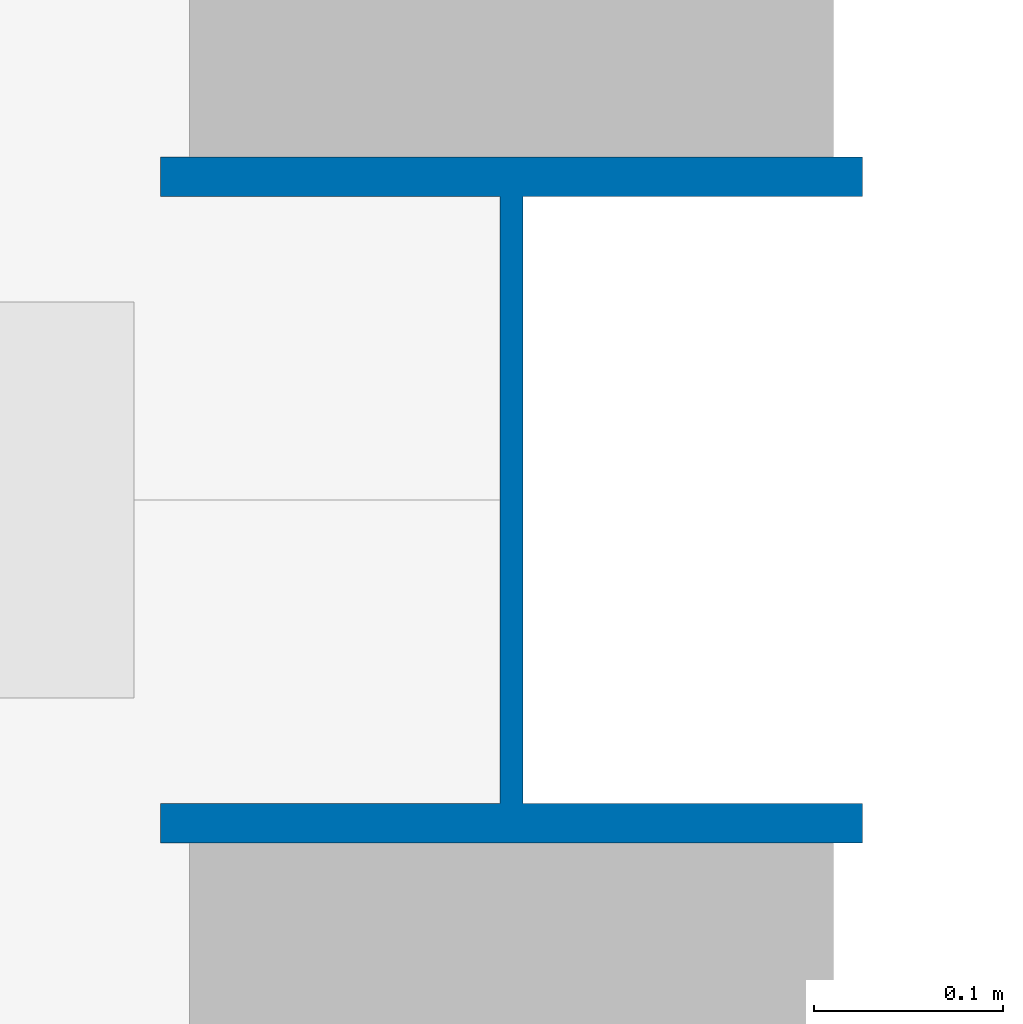
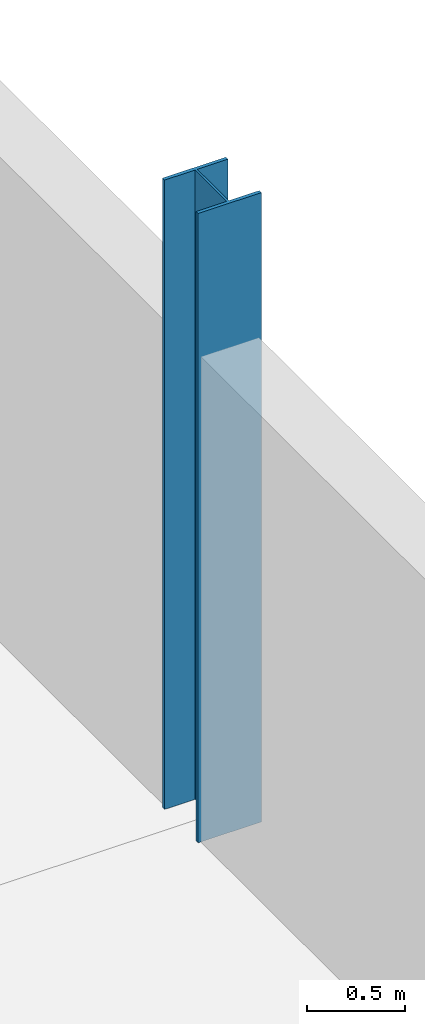
# One storey, part 13 of 98: 1 column.
"""IFC4 building model written with IfcOpenShell, lengths in metres."""

import ifcopenshell
import ifcopenshell.guid

model = None  # the IFC model being written
_history = None  # IfcOwnerHistory: only IFC2X3 demands one
_inside = {}  # id of a spatial element -> (the spatial element, [elements in it])
_under = {}  # id of a project, library or spatial element -> (it, [spatial elements below it])
_declared = {}  # id of a project -> (the project, [libraries it declares])
_typed = {}  # id of a type object -> (the type object, [elements of that type])
_made_of = {}  # id of a material, layer set ... -> (it, [elements and type objects made of it])


def new_model(schema):
    """Start an empty IFC model of exactly this schema.

    Asked for "IFC4X3", IfcOpenShell would pick the latest addendum, in which some entities
    have other attributes; the version numbers below select the first issue.
    IFC2X3 requires an IfcOwnerHistory on every rooted entity: one is made here for all.
    """
    global model, _history
    if schema == "IFC4X3":
        model = ifcopenshell.file(schema_version=(4, 3, 0, 0))
    else:
        model = ifcopenshell.file(schema=schema)
    _inside.clear()
    _under.clear()
    _declared.clear()
    _typed.clear()
    _made_of.clear()
    _history = None
    if model.schema == "IFC2X3":
        org = make("IfcOrganization", Name="unknown")
        user = make(
            "IfcPersonAndOrganization",
            ThePerson=make("IfcPerson", FamilyName="unknown"),
            TheOrganization=org,
        )
        app = make(
            "IfcApplication",
            ApplicationDeveloper=org,
            Version="unknown",
            ApplicationFullName="unknown",
            ApplicationIdentifier="unknown",
        )
        _history = make(
            "IfcOwnerHistory",
            OwningUser=user,
            OwningApplication=app,
            ChangeAction="ADDED",
            CreationDate=0,
        )
    return model


def make(cls, **values):
    """One entity of the class cls with the attributes given. An attribute that is None is left unset."""
    return model.create_entity(
        cls, **{name: value for name, value in values.items() if value is not None}
    )


def rooted(cls, **values):
    """An entity with a GlobalId (a new one), such as an element, a storey or a relation."""
    return make(cls, GlobalId=ifcopenshell.guid.new(), OwnerHistory=_history, **values)


def si_unit(unit_type, name, prefix=None):
    """IfcSIUnit, for example si_unit("LENGTHUNIT", "METRE", prefix="MILLI")."""
    return make("IfcSIUnit", UnitType=unit_type, Prefix=prefix, Name=name)


def assignment(units):
    """IfcUnitAssignment: the units of a project."""
    return None if units is None else make("IfcUnitAssignment", Units=units)


def point(xyz):
    """IfcCartesianPoint."""
    return None if xyz is None else make("IfcCartesianPoint", Coordinates=xyz)


def direction(xyz):
    """IfcDirection."""
    return None if xyz is None else make("IfcDirection", DirectionRatios=xyz)


def frame(location, z_axis=None, x_axis=None):
    """IfcAxis2Placement3D, a coordinate frame: its origin and axes. An axis left out is left unset."""
    return make(
        "IfcAxis2Placement3D",
        Location=point(location),
        Axis=direction(z_axis),
        RefDirection=direction(x_axis),
    )


def frame_2d(location, x_axis=None):
    """IfcAxis2Placement2D, a coordinate frame in the plane: its origin and x axis."""
    return make(
        "IfcAxis2Placement2D", Location=point(location), RefDirection=direction(x_axis)
    )


def origin():
    """The frame at (0, 0, 0) with its axes left unset."""
    return frame((0.0, 0.0, 0.0))


def origin_2d():
    """The frame at (0, 0) in the plane with its x axis left unset."""
    return frame_2d((0.0, 0.0))


def place(relative_to, where):
    """IfcLocalPlacement: puts the frame where relative to a parent placement (None: the world)."""
    return make(
        "IfcLocalPlacement", PlacementRelTo=relative_to, RelativePlacement=where
    )


def context(
    kind, dimensions, precision=None, world=None, true_north=None, identifier=None
):
    """IfcGeometricRepresentationContext, for example the 3D "Model" context."""
    return make(
        "IfcGeometricRepresentationContext",
        ContextIdentifier=identifier,
        ContextType=kind,
        CoordinateSpaceDimension=dimensions,
        Precision=precision,
        WorldCoordinateSystem=world,
        TrueNorth=true_north,
    )


def subcontext(parent, identifier, kind, view, scale=None):
    """IfcGeometricRepresentationSubContext, for example "Body" below "Model"."""
    return make(
        "IfcGeometricRepresentationSubContext",
        ContextIdentifier=identifier,
        ContextType=kind,
        ParentContext=parent,
        TargetScale=scale,
        TargetView=view,
    )


def project(units=None, contexts=None):
    """IfcProject with its units and contexts."""
    return rooted(
        "IfcProject",
        Name="project",
        RepresentationContexts=contexts,
        UnitsInContext=assignment(units),
    )


def spatial(cls, under=None, at=None, **own):
    """A site, building, storey or space (cls), placed at a placement, below another one or the project."""
    s = rooted(cls, ObjectPlacement=at, **own)
    if under is not None:
        _under.setdefault(under.id(), (under, []))[1].append(s)
    return s


def profile(cls, at=None, kind="AREA", **sizes):
    """A parametric profile (cls). Its sizes go by their IFC names, for example OverallWidth=200.0."""
    return make(cls, ProfileType=kind, Position=at, **sizes)


def i_section(**sizes):
    """IfcIShapeProfileDef."""
    return profile("IfcIShapeProfileDef", **sizes)


def extrude(swept, where, along, depth):
    """IfcExtrudedAreaSolid: the profile swept, set in the frame where, extruded along a direction by depth."""
    return make(
        "IfcExtrudedAreaSolid",
        SweptArea=swept,
        Position=where,
        ExtrudedDirection=direction(along),
        Depth=depth,
    )


def shape(context_of_items, identifier, shape_type, items):
    """IfcShapeRepresentation: the items that make up one representation, for example the "Body"."""
    return make(
        "IfcShapeRepresentation",
        ContextOfItems=context_of_items,
        RepresentationIdentifier=identifier,
        RepresentationType=shape_type,
        Items=items,
    )


def material(Name=None, Category=None):
    """IfcMaterial."""
    return make("IfcMaterial", Name=Name, Category=Category)


def material_profile(
    of_material, cross_section, Name=None, Category=None, Priority=None
):
    """IfcMaterialProfile: a cross section and its material."""
    return make(
        "IfcMaterialProfile",
        Name=Name,
        Material=of_material,
        Profile=cross_section,
        Priority=Priority,
        Category=Category,
    )


def profile_set(profiles, Name=None, composite=None):
    """IfcMaterialProfileSet."""
    return make(
        "IfcMaterialProfileSet",
        Name=Name,
        MaterialProfiles=profiles,
        CompositeProfile=composite,
    )


def made_of(thing, what):
    """Note that an element or type object is made of a material, layer set ...; save() writes the relation."""
    if what is not None:
        _made_of.setdefault(what.id(), (what, []))[1].append(thing)
    return thing


def type_object(cls, material=None, **own):
    """A type object (cls), such as IfcWallType, which elements share."""
    return made_of(rooted(cls, **own), material)


def element(
    cls,
    number,
    at=None,
    inside=None,
    cuts=None,
    type_object=None,
    material=None,
    context=None,
    identifier="Body",
    shape_type=None,
    held_by="IfcProductDefinitionShape",
    body=None,
    shapes=None,
    **own,
):
    """One element of the class cls, such as IfcWall. Its Tag is "e" and its number.

    at: its placement. inside: the storey or other place that contains it. cuts: it is an
    opening in that element (IfcRelVoidsElement). A single representation is given by context,
    identifier, shape_type and body (its items); several are given by shapes. held_by: the class
    of the entity that holds the representations. save() writes the other relations.
    """
    e = rooted(cls, Tag="e%d" % number, ObjectPlacement=at, **own)
    if body is not None:
        shapes = [shape(context, identifier, shape_type, body)]
    if shapes is not None:
        e.Representation = make(held_by, Representations=shapes)
    if inside is not None:
        _inside.setdefault(inside.id(), (inside, []))[1].append(e)
    if cuts is not None:
        rooted(
            "IfcRelVoidsElement", RelatingBuildingElement=cuts, RelatedOpeningElement=e
        )
    if type_object is not None:
        _typed.setdefault(type_object.id(), (type_object, []))[1].append(e)
    return made_of(e, material)


def aggregate(whole, parts):
    """IfcRelAggregates: a whole, such as a stair, and the parts it consists of."""
    return rooted("IfcRelAggregates", RelatingObject=whole, RelatedObjects=parts)


def save(model, path):
    """Write the relations noted so far, then the file.

    IfcRelAggregates (storeys below a building ...), IfcRelContainedInSpatialStructure (elements
    in a storey), IfcRelDefinesByType, IfcRelAssociatesMaterial and IfcRelDeclares: one each for
    every whole, place, type object, material and project.
    """
    for whole, parts in _under.values():
        aggregate(whole, parts)
    for where, things in _inside.values():
        rooted(
            "IfcRelContainedInSpatialStructure",
            RelatedElements=things,
            RelatingStructure=where,
        )
    for kind, things in _typed.values():
        rooted("IfcRelDefinesByType", RelatedObjects=things, RelatingType=kind)
    for what, things in _made_of.values():
        rooted("IfcRelAssociatesMaterial", RelatedObjects=things, RelatingMaterial=what)
    for by, libraries in _declared.values():
        rooted("IfcRelDeclares", RelatingContext=by, RelatedDefinitions=libraries)
    model.write(path)


model = new_model("IFC4")

# Units and contexts
model_context = context("Model", 3, precision=1e-05, world=origin(), true_north=direction((0.0, 1.0)))
body_context = subcontext(model_context, "Body", "Model", "MODEL_VIEW")
ifc_project = project(units=[si_unit("LENGTHUNIT", "METRE"), si_unit("AREAUNIT", "SQUARE_METRE"), si_unit("VOLUMEUNIT", "CUBIC_METRE"), si_unit("PLANEANGLEUNIT", "RADIAN"), si_unit("MASSUNIT", "GRAM", prefix="KILO")], contexts=[model_context])

# Site, building, storey
site_placement = place(None, origin())
site = spatial("IfcSite", under=ifc_project, at=site_placement, CompositionType="ELEMENT")
building_placement = place(site_placement, origin())
building = spatial("IfcBuilding", under=site, at=building_placement, Name="Kisiwana Market Hall", CompositionType="ELEMENT")
storey_placement = place(building_placement, frame((0.0, 0.0, 29.39990234375)))
storey = spatial("IfcBuildingStorey", under=building, at=storey_placement, Name="L06", CompositionType="ELEMENT", Elevation=29.39990234375)

# Column
ifc_material = material(Name="Steel S355", Category="steel")
ifc_material_profile = material_profile(ifc_material, i_section(OverallWidth=0.37060546875, OverallDepth=0.362060546875, WebThickness=0.01220703125, FlangeThickness=0.020751953125, at=origin_2d()), Name="UC 356x368x153")
ifc_profile_set = profile_set([ifc_material_profile], Name="Steel S355")
column_type = type_object("IfcColumnType", Name="COL-STL-UC153", PredefinedType="COLUMN", material=ifc_profile_set)
column_placement = place(storey_placement, frame((198.0, 60.0, 0.0), z_axis=(0.0, 0.0, 1.0), x_axis=(1.0, 0.0, 0.0)))
element("IfcColumn", 1, at=column_placement, inside=storey, type_object=column_type, Name="Column H/23 (L06) C-1062", PredefinedType="COLUMN", context=body_context, shape_type="SweptSolid", body=[
    extrude(i_section(OverallWidth=0.37060546875, OverallDepth=0.362060546875, WebThickness=0.01220703125, FlangeThickness=0.020751953125, at=origin_2d()), origin(), (0.0, 0.0, 1.0), 3.900146484375),
])

save(model, "model.ifc")
